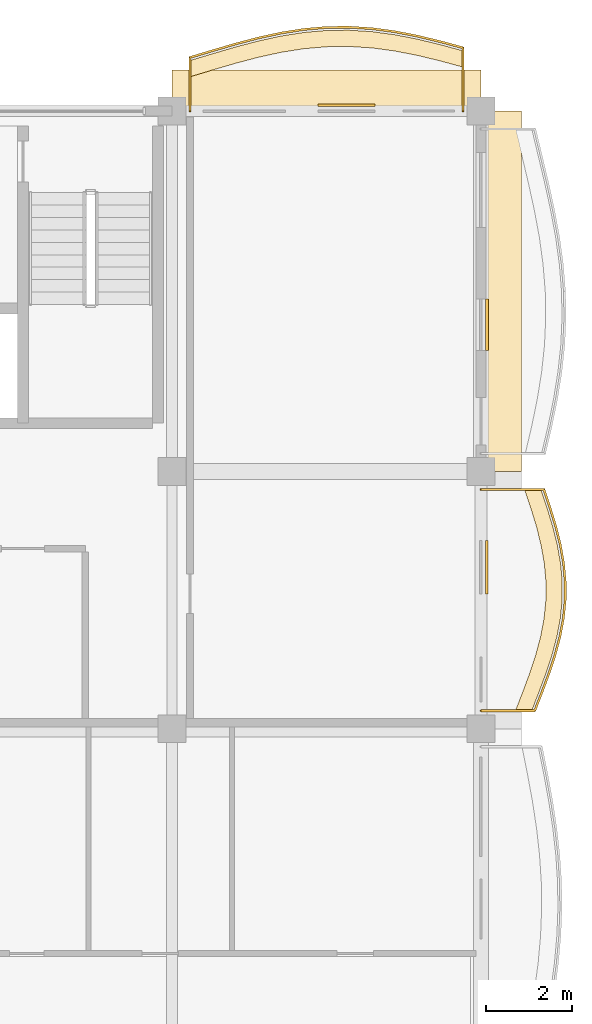
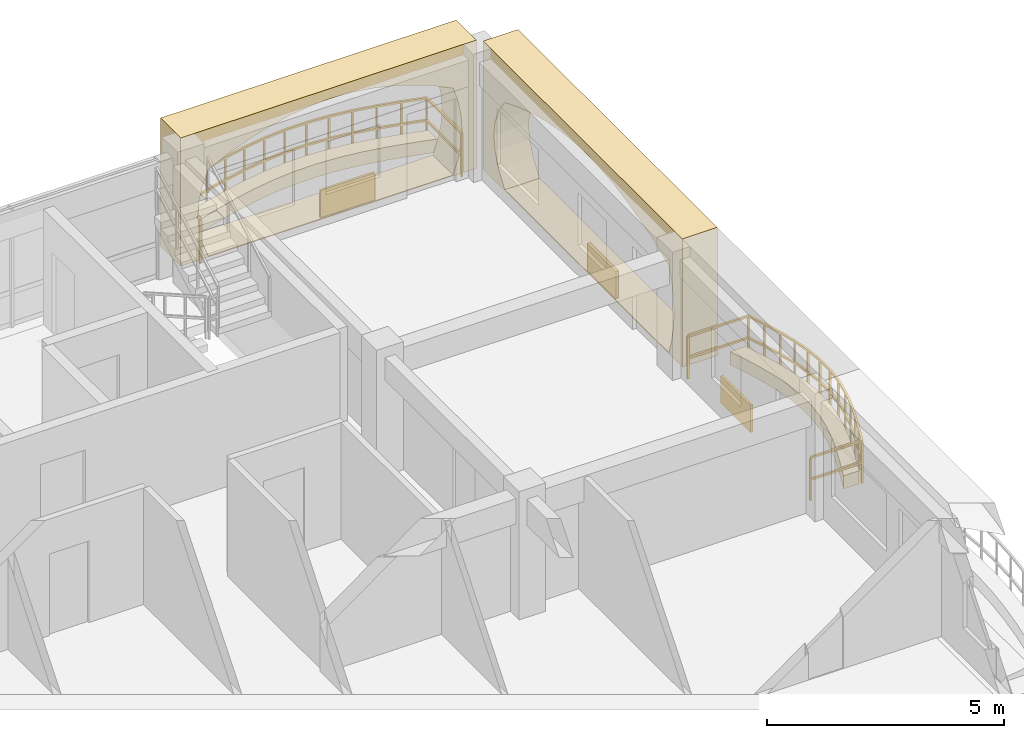
# One storey, part 100 of 101: 7 coverings, 2 railings.
"""IFC4 building model written with IfcOpenShell, lengths in metres."""

from ifc_helpers import new_model, si_unit, direction, frame, origin, origin_2d, place, context, subcontext, project, spatial, polyline, rectangle, outline, extrude, material, layer, layer_set, type_object, element, save


model = new_model("IFC4")

# Units and contexts
model_context = context("Model", 3, precision=1e-05, world=origin(), true_north=direction((0.0, 1.0)))
body_context = subcontext(model_context, "Body", "Model", "MODEL_VIEW")
ifc_project = project(units=[si_unit("LENGTHUNIT", "METRE"), si_unit("AREAUNIT", "SQUARE_METRE"), si_unit("VOLUMEUNIT", "CUBIC_METRE"), si_unit("PLANEANGLEUNIT", "RADIAN"), si_unit("MASSUNIT", "GRAM", prefix="KILO"), si_unit("THERMODYNAMICTEMPERATUREUNIT", "KELVIN")], contexts=[model_context])

# Site, building, storey
site_placement = place(None, origin())
site = spatial("IfcSite", under=ifc_project, at=site_placement, CompositionType="ELEMENT")
building_placement = place(site_placement, origin())
building = spatial("IfcBuilding", under=site, at=building_placement, Name="Thalorik Housing Commons", CompositionType="ELEMENT")
storey_placement = place(building_placement, frame((0.0, 0.0, 8.10009765625)))
storey = spatial("IfcBuildingStorey", under=building, at=storey_placement, Name="L02", CompositionType="ELEMENT", Elevation=8.10009765625)

# Coverings
ifc_material_1 = material(Name="Cobalt blue glazed ceramic facade tile panel", Category="masonry")
ifc_layer_1 = layer(ifc_material_1, 0.06005859375, Name="Cobalt blue glazed ceramic facade tile panel", Category="masonry")
ifc_layer_set_1 = layer_set([ifc_layer_1], Name="Cobalt blue glazed ceramic facade tile panel")
covering_type_1 = type_object("IfcCoveringType", Name="ARC-CLD-BLU-60", PredefinedType="CLADDING", material=ifc_layer_set_1)
covering_1_placement = place(storey_placement, frame((174.137451171875, 112.965087890625, 0.0498046875), z_axis=(0.0, 0.0, 1.0), x_axis=(0.0, 1.0, 0.0)))
element("IfcCovering", 1, at=covering_1_placement, inside=storey, type_object=covering_type_1, Name="L02 De Stijl Recessed Window Spandrel 1655", PredefinedType="CLADDING", context=body_context, shape_type="SweptSolid", body=[
    extrude(rectangle(XDim=1.25, YDim=0.06005859375, at=origin_2d()), origin(), (0.0, 0.0, 1.0), 0.699951171875),
])
ifc_material_2 = material(Name="Precast concrete C40/50", Category="concrete")
ifc_layer_2 = layer(ifc_material_2, 0.85009765625, Name="Precast concrete C40/50", Category="concrete")
ifc_layer_set_2 = layer_set([ifc_layer_2], Name="Precast concrete C40/50")
covering_type_2 = type_object("IfcCoveringType", Name="ARC-CLD-CUSH-850", PredefinedType="CLADDING", material=ifc_layer_set_2)
covering_2_placement = place(storey_placement, frame((174.527587890625, 119.39990234375, 0.0), z_axis=(0.0, 0.0, 1.0), x_axis=(0.0, 1.0, 0.0)))
element("IfcCovering", 2, at=covering_2_placement, inside=storey, type_object=covering_type_2, Name="L02 White Precast Curved Cushion Bay Frame 1656", PredefinedType="CLADDING", context=body_context, shape_type="SweptSolid", body=[
    extrude(outline(polyline([(-4.199951171875, 0.0), (4.199951171875, 0.0), (4.199951171875, 3.300048828125), (-4.199951171875, 3.300048828125), (-4.199951171875, 0.0)]), holes=[polyline([(3.2900390625, 0.02490234375), (3.545654296875, 0.399169921875), (3.698974609375, 0.773193359375), (3.75, 1.1474609375), (3.698974609375, 1.521728515625), (3.545654296875, 1.895751953125), (3.2900390625, 2.27001953125), (2.71337890625, 2.50439453125), (2.13671875, 2.6884765625), (1.56005859375, 2.837646484375), (0.9833984375, 2.948486328125), (0.40673828125, 3.016845703125), (-0.169921875, 3.0400390625), (-0.74658203125, 3.016845703125), (-1.3232421875, 2.948486328125), (-1.89990234375, 2.837646484375), (-2.476806640625, 2.6884765625), (-3.05322265625, 2.50439453125), (-3.6298828125, 2.27001953125), (-3.750244140625, 1.895751953125), (-3.822509765625, 1.521728515625), (-3.8466796875, 1.1474609375), (-3.822509765625, 0.773193359375), (-3.750244140625, 0.399169921875), (-3.6298828125, 0.02490234375), (3.2900390625, 0.02490234375)])]), frame((0.0, 0.425048828125, 0.0), z_axis=(0.0, -1.0, 0.0), x_axis=(1.0, 0.0, 0.0)), (0.0, 0.0, 1.0), 0.85009765625),
])
covering_3_placement = place(storey_placement, frame((170.39990234375, 124.12744140625, 0.0), z_axis=(0.0, 0.0, 1.0), x_axis=(-1.0, 0.0, 0.0)))
element("IfcCovering", 3, at=covering_3_placement, inside=storey, type_object=covering_type_2, Name="L02 White Precast Curved Cushion Bay Frame 1658", PredefinedType="CLADDING", context=body_context, shape_type="SweptSolid", body=[
    extrude(outline(polyline([(-3.60009765625, 0.0), (3.60009765625, 0.0), (3.60009765625, 3.300048828125), (-3.60009765625, 3.300048828125), (-3.60009765625, 0.0)]), holes=[polyline([(2.927490234375, 0.02490234375), (3.069580078125, 0.3974609375), (3.15478515625, 0.77001953125), (3.18310546875, 1.142578125), (3.15478515625, 1.514892578125), (3.069580078125, 1.887451171875), (2.927490234375, 2.260009765625), (2.430908203125, 2.497314453125), (1.9345703125, 2.683837890625), (1.43798828125, 2.8349609375), (0.941650390625, 2.947265625), (0.4453125, 3.0166015625), (-0.05126953125, 3.0400390625), (-0.547607421875, 3.0166015625), (-1.044189453125, 2.947265625), (-1.54052734375, 2.8349609375), (-2.037109375, 2.683837890625), (-2.533447265625, 2.497314453125), (-3.030029296875, 2.260009765625), (-3.150390625, 1.887451171875), (-3.222412109375, 1.514892578125), (-3.24658203125, 1.142578125), (-3.222412109375, 0.77001953125), (-3.150390625, 0.3974609375), (-3.030029296875, 0.02490234375), (2.927490234375, 0.02490234375)])]), frame((0.0, 0.425048828125, 0.0), z_axis=(0.0, -1.0, 0.0), x_axis=(1.0, 0.0, 0.0)), (0.0, 0.0, 1.0), 0.85009765625),
])
ifc_material_3 = material(Name="Terracotta red mineral fibre-cement panel", Category="masonry")
ifc_layer_3 = layer(ifc_material_3, 0.054931640625, Name="Terracotta red mineral fibre-cement panel", Category="masonry")
ifc_layer_set_3 = layer_set([ifc_layer_3], Name="Terracotta red mineral fibre-cement panel")
covering_type_3 = type_object("IfcCoveringType", Name="ARC-CLD-RED-55", PredefinedType="CLADDING", material=ifc_layer_set_3)
covering_4_placement = place(storey_placement, frame((170.867431640625, 123.735107421875, 0.0498046875), z_axis=(0.0, 0.0, 1.0), x_axis=(-1.0, 0.0, 0.0)))
element("IfcCovering", 4, at=covering_4_placement, inside=storey, type_object=covering_type_3, Name="L02 De Stijl Recessed Window Spandrel 1659", PredefinedType="CLADDING", context=body_context, shape_type="SweptSolid", body=[
    extrude(rectangle(XDim=1.320068359375, YDim=0.054931640625, at=origin_2d()), origin(), (0.0, 0.0, 1.0), 0.699951171875),
])
ifc_material_4 = material(Name="Mineral ochre architectural terracotta panel", Category="masonry")
ifc_layer_4 = layer(ifc_material_4, 0.06494140625, Name="Mineral ochre architectural terracotta panel", Category="masonry")
ifc_layer_set_4 = layer_set([ifc_layer_4], Name="Mineral ochre architectural terracotta panel")
covering_type_4 = type_object("IfcCoveringType", Name="ARC-CLD-YEL-65", PredefinedType="CLADDING", material=ifc_layer_set_4)
covering_5_placement = place(storey_placement, frame((174.139892578125, 118.614990234375, 0.0498046875), z_axis=(0.0, 0.0, 1.0), x_axis=(0.0, 1.0, 0.0)))
element("IfcCovering", 5, at=covering_5_placement, inside=storey, type_object=covering_type_4, Name="L02 De Stijl Recessed Window Spandrel 1657", PredefinedType="CLADDING", context=body_context, shape_type="SweptSolid", body=[
    extrude(rectangle(XDim=1.199951171875, YDim=0.06494140625, at=origin_2d()), origin(), (0.0, 0.0, 1.0), 0.699951171875),
])
ifc_material_5 = material(Name="Planted vegetated substrate and terracotta trough", Category="masonry")
ifc_layer_5 = layer(ifc_material_5, 0.340087890625, Name="Planted vegetated substrate and terracotta trough", Category="masonry")
ifc_layer_set_5 = layer_set([ifc_layer_5], Name="Planted vegetated substrate and terracotta trough")
covering_type_5 = type_object("IfcCoveringType", Name="ARC-COV-PLANTER", PredefinedType="USERDEFINED", material=ifc_layer_set_5)
covering_6_placement = place(storey_placement, origin())
element("IfcCovering", 6, at=covering_6_placement, inside=storey, type_object=covering_type_5, Name="L02 Balcony Slab-Edge Planted Trough 5427", ObjectType="PLANTER", PredefinedType="USERDEFINED", context=body_context, shape_type="SweptSolid", body=[
    extrude(outline(polyline([(173.580078125, 125.00634765625), (173.050048828125, 125.150146484375), (172.52001953125, 125.2783203125), (171.989990234375, 125.381591796875), (171.4599609375, 125.45263671875), (170.929931640625, 125.486572265625), (170.39990234375, 125.480224609375), (169.8701171875, 125.433837890625), (169.340087890625, 125.35009765625), (168.81005859375, 125.234619140625), (168.280029296875, 125.0947265625), (167.75, 124.939697265625), (167.219970703125, 124.780517578125), (167.219970703125, 124.400390625), (167.75, 124.559814453125), (168.280029296875, 124.714599609375), (168.81005859375, 124.8544921875), (169.340087890625, 124.97021484375), (169.8701171875, 125.0537109375), (170.39990234375, 125.10009765625), (170.929931640625, 125.1064453125), (171.4599609375, 125.07275390625), (171.989990234375, 125.001708984375), (172.52001953125, 124.898193359375), (173.050048828125, 124.770263671875), (173.580078125, 124.62646484375), (173.580078125, 125.00634765625)])), origin(), (0.0, 0.0, 1.0), 0.33984375),
])
covering_7_placement = place(storey_placement, origin())
element("IfcCovering", 7, at=covering_7_placement, inside=storey, type_object=covering_type_5, Name="L02 Balcony Slab-Edge Planted Trough 5428", ObjectType="PLANTER", PredefinedType="USERDEFINED", context=body_context, shape_type="SweptSolid", body=[
    extrude(outline(polyline([(175.185791015625, 109.6201171875), (175.35302734375, 110.050048828125), (175.51318359375, 110.47998046875), (175.65576171875, 110.909912109375), (175.771240234375, 111.340087890625), (175.852783203125, 111.77001953125), (175.8955078125, 112.199951171875), (175.89697265625, 112.6298828125), (175.85791015625, 113.06005859375), (175.781494140625, 113.489990234375), (175.674072265625, 113.919921875), (175.54345703125, 114.35009765625), (175.398681640625, 114.780029296875), (175.018798828125, 114.780029296875), (175.163330078125, 114.35009765625), (175.294189453125, 113.919921875), (175.401611328125, 113.489990234375), (175.477783203125, 113.06005859375), (175.516845703125, 112.6298828125), (175.515380859375, 112.199951171875), (175.472900390625, 111.77001953125), (175.391357421875, 111.340087890625), (175.275634765625, 110.909912109375), (175.13330078125, 110.47998046875), (174.97314453125, 110.050048828125), (174.805908203125, 109.6201171875), (175.185791015625, 109.6201171875)])), origin(), (0.0, 0.0, 1.0), 0.33984375),
])

# Railings
ifc_material_6 = material(Name="Steel S355", Category="steel")
railing_type_1 = type_object("IfcRailingType", Name="ARC-RL-BAL-112", PredefinedType="BALUSTRADE", material=ifc_material_6)
railing_1_placement = place(storey_placement, frame((174.0, 109.6201171875, 0.0)))
element("IfcRailing", 8, at=railing_1_placement, inside=storey, type_object=railing_type_1, Name="L02 Cushion Balcony Guardrail 112", PredefinedType="BALUSTRADE", context=body_context, shape_type="SweptSolid", body=[
    extrude(rectangle(XDim=0.050048828125, YDim=0.050048828125, at=origin_2d()), frame((0.0, 0.0, 1.09521484375), z_axis=(1.0, 0.0, 0.0), x_axis=(0.0, 1.0, 0.0)), (0.0, 0.0, 1.0), 1.255859375),
    extrude(rectangle(XDim=0.050048828125, YDim=0.050048828125, at=origin_2d()), frame((0.0, 0.0, 0.53515625), z_axis=(1.0, 0.0, 0.0), x_axis=(0.0, 1.0, 0.0)), (0.0, 0.0, 1.0), 1.255859375),
    extrude(rectangle(XDim=0.050048828125, YDim=0.050048828125, at=origin_2d()), frame((1.255859375, 0.0, 1.09521484375), z_axis=(0.362522877747, 0.931974872574, 0.0), x_axis=(-0.931974872574, 0.362522877747, 0.0)), (0.0, 0.0, 1.0), 0.46142578125),
    extrude(rectangle(XDim=0.050048828125, YDim=0.050048828125, at=origin_2d()), frame((1.255859375, 0.0, 0.53515625), z_axis=(0.362522877747, 0.931974872574, 0.0), x_axis=(-0.931974872574, 0.362522877747, 0.0)), (0.0, 0.0, 1.0), 0.46142578125),
    extrude(rectangle(XDim=0.050048828125, YDim=0.050048828125, at=origin_2d()), frame((1.423095703125, 0.429931640625, 1.09521484375), z_axis=(0.349081535892, 0.937092354733, 0.0), x_axis=(-0.937092354733, 0.349081535892, 0.0)), (0.0, 0.0, 1.0), 0.458740234375),
    extrude(rectangle(XDim=0.050048828125, YDim=0.050048828125, at=origin_2d()), frame((1.423095703125, 0.429931640625, 0.53515625), z_axis=(0.349081535892, 0.937092354733, 0.0), x_axis=(-0.937092354733, 0.349081535892, 0.0)), (0.0, 0.0, 1.0), 0.458740234375),
    extrude(rectangle(XDim=0.050048828125, YDim=0.050048828125, at=origin_2d()), frame((1.583251953125, 0.85986328125, 1.09521484375), z_axis=(0.3142863993, 0.949328214695, 0.0), x_axis=(-0.949328214695, 0.3142863993, 0.0)), (0.0, 0.0, 1.0), 0.452880859375),
    extrude(rectangle(XDim=0.050048828125, YDim=0.050048828125, at=origin_2d()), frame((1.583251953125, 0.85986328125, 0.53515625), z_axis=(0.3142863993, 0.949328214695, 0.0), x_axis=(-0.949328214695, 0.3142863993, 0.0)), (0.0, 0.0, 1.0), 0.452880859375),
    extrude(rectangle(XDim=0.050048828125, YDim=0.050048828125, at=origin_2d()), frame((1.7255859375, 1.289794921875, 1.09521484375), z_axis=(0.259776925067, 0.96566865394, 0.0), x_axis=(-0.96566865394, 0.259776925067, 0.0)), (0.0, 0.0, 1.0), 0.445556640625),
    extrude(rectangle(XDim=0.050048828125, YDim=0.050048828125, at=origin_2d()), frame((1.7255859375, 1.289794921875, 0.53515625), z_axis=(0.259776925067, 0.96566865394, 0.0), x_axis=(-0.96566865394, 0.259776925067, 0.0)), (0.0, 0.0, 1.0), 0.445556640625),
    extrude(rectangle(XDim=0.050048828125, YDim=0.050048828125, at=origin_2d()), frame((1.84130859375, 1.719970703125, 1.09521484375), z_axis=(0.186342936362, 0.982484763275, 0.0), x_axis=(-0.982484763275, 0.186342936362, 0.0)), (0.0, 0.0, 1.0), 0.4375),
    extrude(rectangle(XDim=0.050048828125, YDim=0.050048828125, at=origin_2d()), frame((1.84130859375, 1.719970703125, 0.53515625), z_axis=(0.186342936362, 0.982484763275, 0.0), x_axis=(-0.982484763275, 0.186342936362, 0.0)), (0.0, 0.0, 1.0), 0.4375),
    extrude(rectangle(XDim=0.050048828125, YDim=0.050048828125, at=origin_2d()), frame((1.9228515625, 2.14990234375, 1.09521484375), z_axis=(0.098888270863, 0.995098542801, 0.0), x_axis=(-0.995098542801, 0.098888270863, 0.0)), (0.0, 0.0, 1.0), 0.43212890625),
    extrude(rectangle(XDim=0.050048828125, YDim=0.050048828125, at=origin_2d()), frame((1.9228515625, 2.14990234375, 0.53515625), z_axis=(0.098888270863, 0.995098542801, 0.0), x_axis=(-0.995098542801, 0.098888270863, 0.0)), (0.0, 0.0, 1.0), 0.43212890625),
    extrude(rectangle(XDim=0.050048828125, YDim=0.050048828125, at=origin_2d()), frame((1.965576171875, 2.579833984375, 1.09521484375), z_axis=(0.00283928441, 0.999995969224, 0.0), x_axis=(-0.999995969224, 0.00283928441, 0.0)), (0.0, 0.0, 1.0), 0.429931640625),
    extrude(rectangle(XDim=0.050048828125, YDim=0.050048828125, at=origin_2d()), frame((1.965576171875, 2.579833984375, 0.53515625), z_axis=(0.00283928441, 0.999995969224, 0.0), x_axis=(-0.999995969224, 0.00283928441, 0.0)), (0.0, 0.0, 1.0), 0.429931640625),
    extrude(rectangle(XDim=0.050048828125, YDim=0.050048828125, at=origin_2d()), frame((1.966796875, 3.009765625, 1.09521484375), z_axis=(-0.090433822203, 0.995902467013, 0.0), x_axis=(-0.995902467013, -0.090433822203, 0.0)), (0.0, 0.0, 1.0), 0.431884765625),
    extrude(rectangle(XDim=0.050048828125, YDim=0.050048828125, at=origin_2d()), frame((1.966796875, 3.009765625, 0.53515625), z_axis=(-0.090433822203, 0.995902467013, 0.0), x_axis=(-0.995902467013, -0.090433822203, 0.0)), (0.0, 0.0, 1.0), 0.431884765625),
    extrude(rectangle(XDim=0.050048828125, YDim=0.050048828125, at=origin_2d()), frame((1.927734375, 3.43994140625, 1.09521484375), z_axis=(-0.174455149241, 0.984665121198, 0.0), x_axis=(-0.984665121198, -0.174455149241, 0.0)), (0.0, 0.0, 1.0), 0.4365234375),
    extrude(rectangle(XDim=0.050048828125, YDim=0.050048828125, at=origin_2d()), frame((1.927734375, 3.43994140625, 0.53515625), z_axis=(-0.174455149241, 0.984665121198, 0.0), x_axis=(-0.984665121198, -0.174455149241, 0.0)), (0.0, 0.0, 1.0), 0.4365234375),
    extrude(rectangle(XDim=0.050048828125, YDim=0.050048828125, at=origin_2d()), frame((1.8515625, 3.869873046875, 1.09521484375), z_axis=(-0.242405993997, 0.970174898703, 0.0), x_axis=(-0.970174898703, -0.242405993997, 0.0)), (0.0, 0.0, 1.0), 0.443115234375),
    extrude(rectangle(XDim=0.050048828125, YDim=0.050048828125, at=origin_2d()), frame((1.8515625, 3.869873046875, 0.53515625), z_axis=(-0.242405993997, 0.970174898703, 0.0), x_axis=(-0.970174898703, -0.242405993997, 0.0)), (0.0, 0.0, 1.0), 0.443115234375),
    extrude(rectangle(XDim=0.050048828125, YDim=0.050048828125, at=origin_2d()), frame((1.744140625, 4.2998046875, 1.09521484375), z_axis=(-0.291031976648, 0.956713326221, 0.0), x_axis=(-0.956713326221, -0.291031976648, 0.0)), (0.0, 0.0, 1.0), 0.44970703125),
    extrude(rectangle(XDim=0.050048828125, YDim=0.050048828125, at=origin_2d()), frame((1.744140625, 4.2998046875, 0.53515625), z_axis=(-0.291031976648, 0.956713326221, 0.0), x_axis=(-0.956713326221, -0.291031976648, 0.0)), (0.0, 0.0, 1.0), 0.44970703125),
    extrude(rectangle(XDim=0.050048828125, YDim=0.050048828125, at=origin_2d()), frame((1.61328125, 4.72998046875, 1.09521484375), z_axis=(-0.318648897539, 0.947872818524, 0.0), x_axis=(-0.947872818524, -0.318648897539, 0.0)), (0.0, 0.0, 1.0), 0.45361328125),
    extrude(rectangle(XDim=0.050048828125, YDim=0.050048828125, at=origin_2d()), frame((1.61328125, 4.72998046875, 0.53515625), z_axis=(-0.318648897539, 0.947872818524, 0.0), x_axis=(-0.947872818524, -0.318648897539, 0.0)), (0.0, 0.0, 1.0), 0.45361328125),
    extrude(rectangle(XDim=0.050048828125, YDim=0.050048828125, at=origin_2d()), frame((1.46875, 5.159912109375, 1.09521484375), z_axis=(-1.0, 0.0, 0.0), x_axis=(0.0, -1.0, 0.0)), (0.0, 0.0, 1.0), 1.46875),
    extrude(rectangle(XDim=0.050048828125, YDim=0.050048828125, at=origin_2d()), frame((1.46875, 5.159912109375, 0.53515625), z_axis=(-1.0, 0.0, 0.0), x_axis=(0.0, -1.0, 0.0)), (0.0, 0.0, 1.0), 1.46875),
    extrude(rectangle(XDim=0.0419921875, YDim=0.0419921875, at=origin_2d()), origin(), (0.0, 0.0, 1.0), 1.070068359375),
    extrude(rectangle(XDim=0.0419921875, YDim=0.0419921875, at=origin_2d()), frame((1.255859375, 0.0, 0.0)), (0.0, 0.0, 1.0), 1.070068359375),
    extrude(rectangle(XDim=0.0419921875, YDim=0.0419921875, at=origin_2d()), frame((1.423095703125, 0.429931640625, 0.0)), (0.0, 0.0, 1.0), 1.070068359375),
    extrude(rectangle(XDim=0.0419921875, YDim=0.0419921875, at=origin_2d()), frame((1.583251953125, 0.85986328125, 0.0)), (0.0, 0.0, 1.0), 1.070068359375),
    extrude(rectangle(XDim=0.0419921875, YDim=0.0419921875, at=origin_2d()), frame((1.7255859375, 1.289794921875, 0.0)), (0.0, 0.0, 1.0), 1.070068359375),
    extrude(rectangle(XDim=0.0419921875, YDim=0.0419921875, at=origin_2d()), frame((1.84130859375, 1.719970703125, 0.0)), (0.0, 0.0, 1.0), 1.070068359375),
    extrude(rectangle(XDim=0.0419921875, YDim=0.0419921875, at=origin_2d()), frame((1.9228515625, 2.14990234375, 0.0)), (0.0, 0.0, 1.0), 1.070068359375),
    extrude(rectangle(XDim=0.0419921875, YDim=0.0419921875, at=origin_2d()), frame((1.965576171875, 2.579833984375, 0.0)), (0.0, 0.0, 1.0), 1.070068359375),
    extrude(rectangle(XDim=0.0419921875, YDim=0.0419921875, at=origin_2d()), frame((1.966796875, 3.009765625, 0.0)), (0.0, 0.0, 1.0), 1.070068359375),
    extrude(rectangle(XDim=0.0419921875, YDim=0.0419921875, at=origin_2d()), frame((1.927734375, 3.43994140625, 0.0)), (0.0, 0.0, 1.0), 1.070068359375),
    extrude(rectangle(XDim=0.0419921875, YDim=0.0419921875, at=origin_2d()), frame((1.8515625, 3.869873046875, 0.0)), (0.0, 0.0, 1.0), 1.070068359375),
    extrude(rectangle(XDim=0.0419921875, YDim=0.0419921875, at=origin_2d()), frame((1.744140625, 4.2998046875, 0.0)), (0.0, 0.0, 1.0), 1.070068359375),
    extrude(rectangle(XDim=0.0419921875, YDim=0.0419921875, at=origin_2d()), frame((1.61328125, 4.72998046875, 0.0)), (0.0, 0.0, 1.0), 1.070068359375),
    extrude(rectangle(XDim=0.0419921875, YDim=0.0419921875, at=origin_2d()), frame((1.46875, 5.159912109375, 0.0)), (0.0, 0.0, 1.0), 1.070068359375),
    extrude(rectangle(XDim=0.0419921875, YDim=0.0419921875, at=origin_2d()), frame((0.0, 5.159912109375, 0.0)), (0.0, 0.0, 1.0), 1.070068359375),
])
railing_type_2 = type_object("IfcRailingType", Name="ARC-RL-BAL-115", PredefinedType="BALUSTRADE", material=ifc_material_6)
railing_2_placement = place(storey_placement, frame((173.580078125, 123.60009765625, 0.0)))
element("IfcRailing", 9, at=railing_2_placement, inside=storey, type_object=railing_type_2, Name="L02 Cushion Balcony Guardrail 111", PredefinedType="BALUSTRADE", context=body_context, shape_type="SweptSolid", body=[
    extrude(rectangle(XDim=0.050048828125, YDim=0.050048828125, at=origin_2d()), frame((0.0, 0.0, 1.125), z_axis=(0.0, 1.0, 0.0), x_axis=(-1.0, 0.0, 0.0)), (0.0, 0.0, 1.0), 1.476318359375),
    extrude(rectangle(XDim=0.050048828125, YDim=0.050048828125, at=origin_2d()), frame((0.0, 0.0, 0.5498046875), z_axis=(0.0, 1.0, 0.0), x_axis=(-1.0, 0.0, 0.0)), (0.0, 0.0, 1.0), 1.476318359375),
    extrude(rectangle(XDim=0.050048828125, YDim=0.050048828125, at=origin_2d()), frame((0.0, 1.476318359375, 1.125), z_axis=(-0.96511177204, 0.261838246767, 0.0), x_axis=(-0.261838246767, -0.96511177204, 0.0)), (0.0, 0.0, 1.0), 0.549072265625),
    extrude(rectangle(XDim=0.050048828125, YDim=0.050048828125, at=origin_2d()), frame((0.0, 1.476318359375, 0.5498046875), z_axis=(-0.96511177204, 0.261838246767, 0.0), x_axis=(-0.261838246767, -0.96511177204, 0.0)), (0.0, 0.0, 1.0), 0.549072265625),
    extrude(rectangle(XDim=0.050048828125, YDim=0.050048828125, at=origin_2d()), frame((-0.530029296875, 1.6201171875, 1.125), z_axis=(-0.971983525424, 0.235048987032, 0.0), x_axis=(-0.235048987032, -0.971983525424, 0.0)), (0.0, 0.0, 1.0), 0.54541015625),
    extrude(rectangle(XDim=0.050048828125, YDim=0.050048828125, at=origin_2d()), frame((-0.530029296875, 1.6201171875, 0.5498046875), z_axis=(-0.971983525424, 0.235048987032, 0.0), x_axis=(-0.235048987032, -0.971983525424, 0.0)), (0.0, 0.0, 1.0), 0.54541015625),
    extrude(rectangle(XDim=0.050048828125, YDim=0.050048828125, at=origin_2d()), frame((-1.06005859375, 1.748291015625, 1.125), z_axis=(-0.981542374473, 0.191244783234, 0.0), x_axis=(-0.191244783234, -0.981542374473, 0.0)), (0.0, 0.0, 1.0), 0.5400390625),
    extrude(rectangle(XDim=0.050048828125, YDim=0.050048828125, at=origin_2d()), frame((-1.06005859375, 1.748291015625, 0.5498046875), z_axis=(-0.981542374473, 0.191244783234, 0.0), x_axis=(-0.191244783234, -0.981542374473, 0.0)), (0.0, 0.0, 1.0), 0.5400390625),
    extrude(rectangle(XDim=0.050048828125, YDim=0.050048828125, at=origin_2d()), frame((-1.590087890625, 1.8515625, 1.125), z_axis=(-0.991135956481, 0.132851480118, 0.0), x_axis=(-0.132851480118, -0.991135956481, 0.0)), (0.0, 0.0, 1.0), 0.53466796875),
    extrude(rectangle(XDim=0.050048828125, YDim=0.050048828125, at=origin_2d()), frame((-1.590087890625, 1.8515625, 0.5498046875), z_axis=(-0.991135956481, 0.132851480118, 0.0), x_axis=(-0.132851480118, -0.991135956481, 0.0)), (0.0, 0.0, 1.0), 0.53466796875),
    extrude(rectangle(XDim=0.050048828125, YDim=0.050048828125, at=origin_2d()), frame((-2.1201171875, 1.922607421875, 1.125), z_axis=(-0.997985835785, 0.063437146632, 0.0), x_axis=(-0.063437146632, -0.997985835785, 0.0)), (0.0, 0.0, 1.0), 0.531005859375),
    extrude(rectangle(XDim=0.050048828125, YDim=0.050048828125, at=origin_2d()), frame((-2.1201171875, 1.922607421875, 0.5498046875), z_axis=(-0.997985835785, 0.063437146632, 0.0), x_axis=(-0.063437146632, -0.997985835785, 0.0)), (0.0, 0.0, 1.0), 0.531005859375),
    extrude(rectangle(XDim=0.050048828125, YDim=0.050048828125, at=origin_2d()), frame((-2.650146484375, 1.956298828125, 1.125), z_axis=(-0.999933704021, -0.01151466725, 0.0), x_axis=(0.01151466725, -0.999933704021, 0.0)), (0.0, 0.0, 1.0), 0.530029296875),
    extrude(rectangle(XDim=0.050048828125, YDim=0.050048828125, at=origin_2d()), frame((-2.650146484375, 1.956298828125, 0.5498046875), z_axis=(-0.999933704021, -0.01151466725, 0.0), x_axis=(0.01151466725, -0.999933704021, 0.0)), (0.0, 0.0, 1.0), 0.530029296875),
    extrude(rectangle(XDim=0.050048828125, YDim=0.050048828125, at=origin_2d()), frame((-3.18017578125, 1.9501953125, 1.125), z_axis=(-0.996188732907, -0.087223898273, 0.0), x_axis=(0.087223898273, -0.996188732907, 0.0)), (0.0, 0.0, 1.0), 0.53173828125),
    extrude(rectangle(XDim=0.050048828125, YDim=0.050048828125, at=origin_2d()), frame((-3.18017578125, 1.9501953125, 0.5498046875), z_axis=(-0.996188732907, -0.087223898273, 0.0), x_axis=(0.087223898273, -0.996188732907, 0.0)), (0.0, 0.0, 1.0), 0.53173828125),
    extrude(rectangle(XDim=0.050048828125, YDim=0.050048828125, at=origin_2d()), frame((-3.7099609375, 1.90380859375, 1.125), z_axis=(-0.987748205, -0.156056026861, 0.0), x_axis=(0.156056026861, -0.987748205, 0.0)), (0.0, 0.0, 1.0), 0.53662109375),
    extrude(rectangle(XDim=0.050048828125, YDim=0.050048828125, at=origin_2d()), frame((-3.7099609375, 1.90380859375, 0.5498046875), z_axis=(-0.987748205, -0.156056026861, 0.0), x_axis=(0.156056026861, -0.987748205, 0.0)), (0.0, 0.0, 1.0), 0.53662109375),
    extrude(rectangle(XDim=0.050048828125, YDim=0.050048828125, at=origin_2d()), frame((-4.239990234375, 1.820068359375, 1.125), z_axis=(-0.977078775255, -0.212878056516, 0.0), x_axis=(0.212878056516, -0.977078775255, 0.0)), (0.0, 0.0, 1.0), 0.54248046875),
    extrude(rectangle(XDim=0.050048828125, YDim=0.050048828125, at=origin_2d()), frame((-4.239990234375, 1.820068359375, 0.5498046875), z_axis=(-0.977078775255, -0.212878056516, 0.0), x_axis=(0.212878056516, -0.977078775255, 0.0)), (0.0, 0.0, 1.0), 0.54248046875),
    extrude(rectangle(XDim=0.050048828125, YDim=0.050048828125, at=origin_2d()), frame((-4.77001953125, 1.70458984375, 1.125), z_axis=(-0.966889675142, -0.255194741528, 0.0), x_axis=(0.255194741528, -0.966889675142, 0.0)), (0.0, 0.0, 1.0), 0.548095703125),
    extrude(rectangle(XDim=0.050048828125, YDim=0.050048828125, at=origin_2d()), frame((-4.77001953125, 1.70458984375, 0.5498046875), z_axis=(-0.966889675142, -0.255194741528, 0.0), x_axis=(0.255194741528, -0.966889675142, 0.0)), (0.0, 0.0, 1.0), 0.548095703125),
    extrude(rectangle(XDim=0.050048828125, YDim=0.050048828125, at=origin_2d()), frame((-5.300048828125, 1.564697265625, 1.125), z_axis=(-0.959786809825, -0.280729905223, 0.0), x_axis=(0.280729905223, -0.959786809825, 0.0)), (0.0, 0.0, 1.0), 0.55224609375),
    extrude(rectangle(XDim=0.050048828125, YDim=0.050048828125, at=origin_2d()), frame((-5.300048828125, 1.564697265625, 0.5498046875), z_axis=(-0.959786809825, -0.280729905223, 0.0), x_axis=(0.280729905223, -0.959786809825, 0.0)), (0.0, 0.0, 1.0), 0.55224609375),
    extrude(rectangle(XDim=0.050048828125, YDim=0.050048828125, at=origin_2d()), frame((-5.830078125, 1.40966796875, 1.125), z_axis=(-0.957619653747, -0.28803575951, 0.0), x_axis=(0.28803575951, -0.957619653747, 0.0)), (0.0, 0.0, 1.0), 0.553466796875),
    extrude(rectangle(XDim=0.050048828125, YDim=0.050048828125, at=origin_2d()), frame((-5.830078125, 1.40966796875, 0.5498046875), z_axis=(-0.957619653747, -0.28803575951, 0.0), x_axis=(0.28803575951, -0.957619653747, 0.0)), (0.0, 0.0, 1.0), 0.553466796875),
    extrude(rectangle(XDim=0.050048828125, YDim=0.050048828125, at=origin_2d()), frame((-6.360107421875, 1.250244140625, 1.125), z_axis=(0.0, -1.0, 0.0), x_axis=(1.0, 0.0, 0.0)), (0.0, 0.0, 1.0), 1.250244140625),
    extrude(rectangle(XDim=0.050048828125, YDim=0.050048828125, at=origin_2d()), frame((-6.360107421875, 1.250244140625, 0.5498046875), z_axis=(0.0, -1.0, 0.0), x_axis=(1.0, 0.0, 0.0)), (0.0, 0.0, 1.0), 1.250244140625),
    extrude(rectangle(XDim=0.0419921875, YDim=0.0419921875, at=origin_2d()), origin(), (0.0, 0.0, 1.0), 1.099853515625),
    extrude(rectangle(XDim=0.0419921875, YDim=0.0419921875, at=origin_2d()), frame((0.0, 1.476318359375, 0.0)), (0.0, 0.0, 1.0), 1.099853515625),
    extrude(rectangle(XDim=0.0419921875, YDim=0.0419921875, at=origin_2d()), frame((-0.530029296875, 1.6201171875, 0.0)), (0.0, 0.0, 1.0), 1.099853515625),
    extrude(rectangle(XDim=0.0419921875, YDim=0.0419921875, at=origin_2d()), frame((-1.06005859375, 1.748291015625, 0.0)), (0.0, 0.0, 1.0), 1.099853515625),
    extrude(rectangle(XDim=0.0419921875, YDim=0.0419921875, at=origin_2d()), frame((-1.590087890625, 1.8515625, 0.0)), (0.0, 0.0, 1.0), 1.099853515625),
    extrude(rectangle(XDim=0.0419921875, YDim=0.0419921875, at=origin_2d()), frame((-2.1201171875, 1.922607421875, 0.0)), (0.0, 0.0, 1.0), 1.099853515625),
    extrude(rectangle(XDim=0.0419921875, YDim=0.0419921875, at=origin_2d()), frame((-2.650146484375, 1.956298828125, 0.0)), (0.0, 0.0, 1.0), 1.099853515625),
    extrude(rectangle(XDim=0.0419921875, YDim=0.0419921875, at=origin_2d()), frame((-3.18017578125, 1.9501953125, 0.0)), (0.0, 0.0, 1.0), 1.099853515625),
    extrude(rectangle(XDim=0.0419921875, YDim=0.0419921875, at=origin_2d()), frame((-3.7099609375, 1.90380859375, 0.0)), (0.0, 0.0, 1.0), 1.099853515625),
    extrude(rectangle(XDim=0.0419921875, YDim=0.0419921875, at=origin_2d()), frame((-4.239990234375, 1.820068359375, 0.0)), (0.0, 0.0, 1.0), 1.099853515625),
    extrude(rectangle(XDim=0.0419921875, YDim=0.0419921875, at=origin_2d()), frame((-4.77001953125, 1.70458984375, 0.0)), (0.0, 0.0, 1.0), 1.099853515625),
    extrude(rectangle(XDim=0.0419921875, YDim=0.0419921875, at=origin_2d()), frame((-5.300048828125, 1.564697265625, 0.0)), (0.0, 0.0, 1.0), 1.099853515625),
    extrude(rectangle(XDim=0.0419921875, YDim=0.0419921875, at=origin_2d()), frame((-5.830078125, 1.40966796875, 0.0)), (0.0, 0.0, 1.0), 1.099853515625),
    extrude(rectangle(XDim=0.0419921875, YDim=0.0419921875, at=origin_2d()), frame((-6.360107421875, 1.250244140625, 0.0)), (0.0, 0.0, 1.0), 1.099853515625),
    extrude(rectangle(XDim=0.0419921875, YDim=0.0419921875, at=origin_2d()), frame((-6.360107421875, 0.0, 0.0)), (0.0, 0.0, 1.0), 1.099853515625),
])

save(model, "model.ifc")
